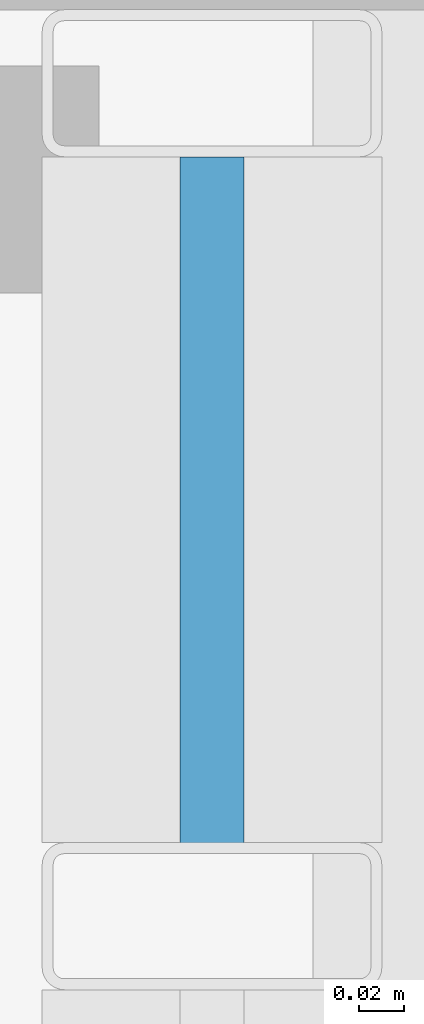
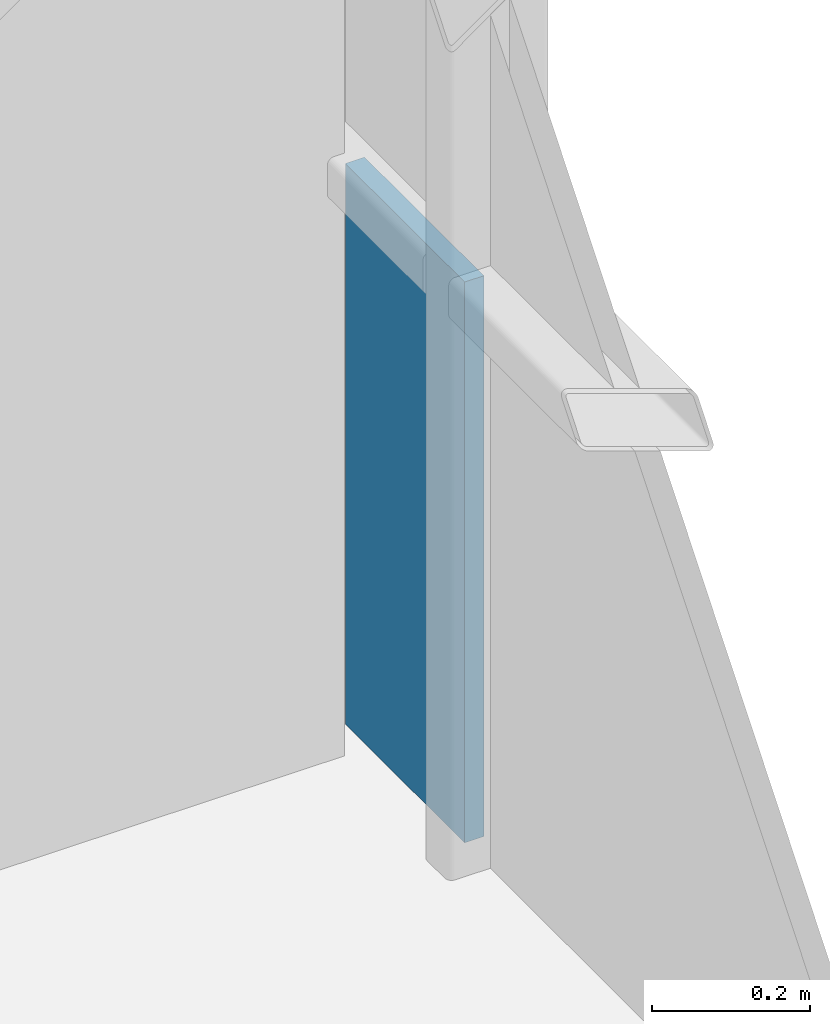
# One storey, part 30 of 41: 1 plate, 1 element without a shape of its own.
"""IFC4 building model written with IfcOpenShell, lengths in metres."""

from ifc_helpers import new_model, si_unit, direction, frame, origin, origin_2d, place, context, subcontext, project, spatial, rectangle, extrude, material, layer, layer_set, type_object, element, aggregate, save


model = new_model("IFC4")

# Units and contexts
model_context = context("Model", 3, precision=1e-05, world=origin(), true_north=direction((0.0, 1.0)))
body_context = subcontext(model_context, "Body", "Model", "MODEL_VIEW")
ifc_project = project(units=[si_unit("LENGTHUNIT", "METRE"), si_unit("AREAUNIT", "SQUARE_METRE"), si_unit("VOLUMEUNIT", "CUBIC_METRE"), si_unit("PLANEANGLEUNIT", "RADIAN"), si_unit("MASSUNIT", "GRAM", prefix="KILO")], contexts=[model_context])

# Site, building, storey
site_placement = place(None, origin())
site = spatial("IfcSite", under=ifc_project, at=site_placement, CompositionType="ELEMENT")
building_placement = place(site_placement, origin())
building = spatial("IfcBuilding", under=site, at=building_placement, Name="Brevholm Reach", CompositionType="ELEMENT")
storey_placement = place(building_placement, frame((0.0, 0.0, 43.5)))
storey = spatial("IfcBuildingStorey", under=building, at=storey_placement, Name="L11", CompositionType="ELEMENT", Elevation=43.5)

# Curtain wall, plate
ifc_material_1 = material(Name="Dark Anodised Aluminium 6063-T6 and Solar-Control Glass", Category="aluminium")
ifc_layer_1 = layer(ifc_material_1, 0.14990234375)
ifc_layer_set_1 = layer_set([ifc_layer_1], Name="Dark Anodised Aluminium 6063-T6 and Solar-Control Glass")
curtain_wall_type = type_object("IfcCurtainWallType", Name="CW-01", PredefinedType="NOTDEFINED", material=ifc_layer_set_1)
curtain_wall_placement = place(storey_placement, origin())
curtain_wall = element("IfcCurtainWall", 1, at=curtain_wall_placement, inside=storey, type_object=curtain_wall_type, Name="L11 Curtain Wall CW-01", PredefinedType="NOTDEFINED")
ifc_material_2 = material(Name="Dark Solar-Control Double-Glazed IGU Glass", Category="glass")
ifc_layer_2 = layer(ifc_material_2, 0.028076171875)
ifc_layer_set_2 = layer_set([ifc_layer_2], Name="Dark Solar-Control Double-Glazed IGU Glass")
plate_type = type_object("IfcPlateType", Name="CWP-GLZ-28", PredefinedType="CURTAIN_PANEL", material=ifc_layer_set_2)
plate_placement = place(storey_placement, frame((59.85009765625, 22.733642578125, 0.0), z_axis=(0.0, 0.0, 1.0), x_axis=(0.0, 1.0, 0.0)))
plate = element("IfcPlate", 2, at=plate_placement, type_object=plate_type, Name="CP-01 Glazing Panel 5.1", PredefinedType="CURTAIN_PANEL", context=body_context, shape_type="SweptSolid", body=[
    extrude(rectangle(XDim=0.302490234375, YDim=0.028076171875, at=origin_2d()), origin(), (0.0, 0.0, 1.0), 0.867431640625),
])
aggregate(curtain_wall, [plate])

save(model, "model.ifc")
